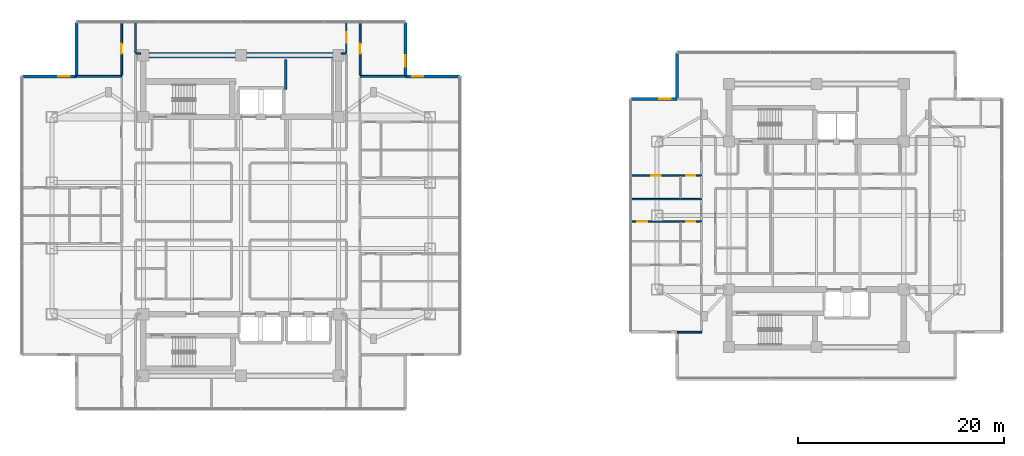
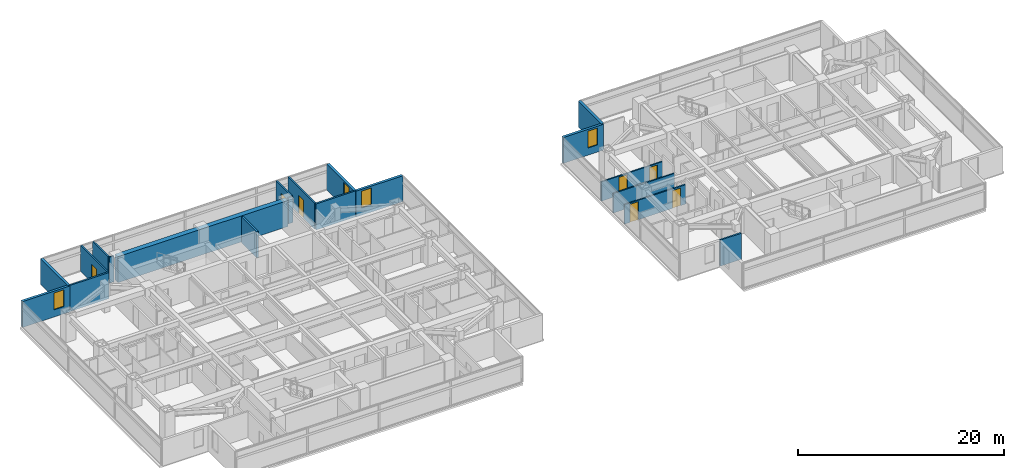
# One storey, part 15 of 24: 20 walls, 7 doors, 4 windows, 11 openings.
"""IFC4 building model written with IfcOpenShell, lengths in metres."""

import ifcopenshell
import ifcopenshell.guid

model = None  # the IFC model being written
_history = None  # IfcOwnerHistory: only IFC2X3 demands one
_inside = {}  # id of a spatial element -> (the spatial element, [elements in it])
_under = {}  # id of a project, library or spatial element -> (it, [spatial elements below it])
_declared = {}  # id of a project -> (the project, [libraries it declares])
_typed = {}  # id of a type object -> (the type object, [elements of that type])
_made_of = {}  # id of a material, layer set ... -> (it, [elements and type objects made of it])


def new_model(schema):
    """Start an empty IFC model of exactly this schema.

    Asked for "IFC4X3", IfcOpenShell would pick the latest addendum, in which some entities
    have other attributes; the version numbers below select the first issue.
    IFC2X3 requires an IfcOwnerHistory on every rooted entity: one is made here for all.
    """
    global model, _history
    if schema == "IFC4X3":
        model = ifcopenshell.file(schema_version=(4, 3, 0, 0))
    else:
        model = ifcopenshell.file(schema=schema)
    _inside.clear()
    _under.clear()
    _declared.clear()
    _typed.clear()
    _made_of.clear()
    _history = None
    if model.schema == "IFC2X3":
        org = make("IfcOrganization", Name="unknown")
        user = make(
            "IfcPersonAndOrganization",
            ThePerson=make("IfcPerson", FamilyName="unknown"),
            TheOrganization=org,
        )
        app = make(
            "IfcApplication",
            ApplicationDeveloper=org,
            Version="unknown",
            ApplicationFullName="unknown",
            ApplicationIdentifier="unknown",
        )
        _history = make(
            "IfcOwnerHistory",
            OwningUser=user,
            OwningApplication=app,
            ChangeAction="ADDED",
            CreationDate=0,
        )
    return model


def make(cls, **values):
    """One entity of the class cls with the attributes given. An attribute that is None is left unset."""
    return model.create_entity(
        cls, **{name: value for name, value in values.items() if value is not None}
    )


def rooted(cls, **values):
    """An entity with a GlobalId (a new one), such as an element, a storey or a relation."""
    return make(cls, GlobalId=ifcopenshell.guid.new(), OwnerHistory=_history, **values)


def si_unit(unit_type, name, prefix=None):
    """IfcSIUnit, for example si_unit("LENGTHUNIT", "METRE", prefix="MILLI")."""
    return make("IfcSIUnit", UnitType=unit_type, Prefix=prefix, Name=name)


def assignment(units):
    """IfcUnitAssignment: the units of a project."""
    return None if units is None else make("IfcUnitAssignment", Units=units)


def point(xyz):
    """IfcCartesianPoint."""
    return None if xyz is None else make("IfcCartesianPoint", Coordinates=xyz)


def direction(xyz):
    """IfcDirection."""
    return None if xyz is None else make("IfcDirection", DirectionRatios=xyz)


def frame(location, z_axis=None, x_axis=None):
    """IfcAxis2Placement3D, a coordinate frame: its origin and axes. An axis left out is left unset."""
    return make(
        "IfcAxis2Placement3D",
        Location=point(location),
        Axis=direction(z_axis),
        RefDirection=direction(x_axis),
    )


def frame_2d(location, x_axis=None):
    """IfcAxis2Placement2D, a coordinate frame in the plane: its origin and x axis."""
    return make(
        "IfcAxis2Placement2D", Location=point(location), RefDirection=direction(x_axis)
    )


def origin():
    """The frame at (0, 0, 0) with its axes left unset."""
    return frame((0.0, 0.0, 0.0))


def place(relative_to, where):
    """IfcLocalPlacement: puts the frame where relative to a parent placement (None: the world)."""
    return make(
        "IfcLocalPlacement", PlacementRelTo=relative_to, RelativePlacement=where
    )


def context(
    kind, dimensions, precision=None, world=None, true_north=None, identifier=None
):
    """IfcGeometricRepresentationContext, for example the 3D "Model" context."""
    return make(
        "IfcGeometricRepresentationContext",
        ContextIdentifier=identifier,
        ContextType=kind,
        CoordinateSpaceDimension=dimensions,
        Precision=precision,
        WorldCoordinateSystem=world,
        TrueNorth=true_north,
    )


def subcontext(parent, identifier, kind, view, scale=None):
    """IfcGeometricRepresentationSubContext, for example "Body" below "Model"."""
    return make(
        "IfcGeometricRepresentationSubContext",
        ContextIdentifier=identifier,
        ContextType=kind,
        ParentContext=parent,
        TargetScale=scale,
        TargetView=view,
    )


def project(units=None, contexts=None):
    """IfcProject with its units and contexts."""
    return rooted(
        "IfcProject",
        Name="project",
        RepresentationContexts=contexts,
        UnitsInContext=assignment(units),
    )


def spatial(cls, under=None, at=None, **own):
    """A site, building, storey or space (cls), placed at a placement, below another one or the project."""
    s = rooted(cls, ObjectPlacement=at, **own)
    if under is not None:
        _under.setdefault(under.id(), (under, []))[1].append(s)
    return s


def profile(cls, at=None, kind="AREA", **sizes):
    """A parametric profile (cls). Its sizes go by their IFC names, for example OverallWidth=200.0."""
    return make(cls, ProfileType=kind, Position=at, **sizes)


def rectangle(**sizes):
    """IfcRectangleProfileDef."""
    return profile("IfcRectangleProfileDef", **sizes)


def extrude(swept, where, along, depth):
    """IfcExtrudedAreaSolid: the profile swept, set in the frame where, extruded along a direction by depth."""
    return make(
        "IfcExtrudedAreaSolid",
        SweptArea=swept,
        Position=where,
        ExtrudedDirection=direction(along),
        Depth=depth,
    )


def shape(context_of_items, identifier, shape_type, items):
    """IfcShapeRepresentation: the items that make up one representation, for example the "Body"."""
    return make(
        "IfcShapeRepresentation",
        ContextOfItems=context_of_items,
        RepresentationIdentifier=identifier,
        RepresentationType=shape_type,
        Items=items,
    )


def material(Name=None, Category=None):
    """IfcMaterial."""
    return make("IfcMaterial", Name=Name, Category=Category)


def layer(
    of_material, thickness, ventilated=None, Name=None, Category=None, Priority=None
):
    """IfcMaterialLayer: one layer of a wall or slab, of a material (None: an air gap)."""
    return make(
        "IfcMaterialLayer",
        Material=of_material,
        LayerThickness=thickness,
        IsVentilated=ventilated,
        Name=Name,
        Category=Category,
        Priority=Priority,
    )


def layer_set(layers, Name=None):
    """IfcMaterialLayerSet."""
    return make("IfcMaterialLayerSet", MaterialLayers=layers, LayerSetName=Name)


def made_of(thing, what):
    """Note that an element or type object is made of a material, layer set ...; save() writes the relation."""
    if what is not None:
        _made_of.setdefault(what.id(), (what, []))[1].append(thing)
    return thing


def type_object(cls, material=None, **own):
    """A type object (cls), such as IfcWallType, which elements share."""
    return made_of(rooted(cls, **own), material)


def element(
    cls,
    number,
    at=None,
    inside=None,
    cuts=None,
    type_object=None,
    material=None,
    context=None,
    identifier="Body",
    shape_type=None,
    held_by="IfcProductDefinitionShape",
    body=None,
    shapes=None,
    **own,
):
    """One element of the class cls, such as IfcWall. Its Tag is "e" and its number.

    at: its placement. inside: the storey or other place that contains it. cuts: it is an
    opening in that element (IfcRelVoidsElement). A single representation is given by context,
    identifier, shape_type and body (its items); several are given by shapes. held_by: the class
    of the entity that holds the representations. save() writes the other relations.
    """
    e = rooted(cls, Tag="e%d" % number, ObjectPlacement=at, **own)
    if body is not None:
        shapes = [shape(context, identifier, shape_type, body)]
    if shapes is not None:
        e.Representation = make(held_by, Representations=shapes)
    if inside is not None:
        _inside.setdefault(inside.id(), (inside, []))[1].append(e)
    if cuts is not None:
        rooted(
            "IfcRelVoidsElement", RelatingBuildingElement=cuts, RelatedOpeningElement=e
        )
    if type_object is not None:
        _typed.setdefault(type_object.id(), (type_object, []))[1].append(e)
    return made_of(e, material)


def fill(opening, filler):
    """IfcRelFillsElement: the door or window that sits in an opening."""
    return rooted(
        "IfcRelFillsElement",
        RelatingOpeningElement=opening,
        RelatedBuildingElement=filler,
    )


def aggregate(whole, parts):
    """IfcRelAggregates: a whole, such as a stair, and the parts it consists of."""
    return rooted("IfcRelAggregates", RelatingObject=whole, RelatedObjects=parts)


def save(model, path):
    """Write the relations noted so far, then the file.

    IfcRelAggregates (storeys below a building ...), IfcRelContainedInSpatialStructure (elements
    in a storey), IfcRelDefinesByType, IfcRelAssociatesMaterial and IfcRelDeclares: one each for
    every whole, place, type object, material and project.
    """
    for whole, parts in _under.values():
        aggregate(whole, parts)
    for where, things in _inside.values():
        rooted(
            "IfcRelContainedInSpatialStructure",
            RelatedElements=things,
            RelatingStructure=where,
        )
    for kind, things in _typed.values():
        rooted("IfcRelDefinesByType", RelatedObjects=things, RelatingType=kind)
    for what, things in _made_of.values():
        rooted("IfcRelAssociatesMaterial", RelatedObjects=things, RelatingMaterial=what)
    for by, libraries in _declared.values():
        rooted("IfcRelDeclares", RelatingContext=by, RelatedDefinitions=libraries)
    model.write(path)


model = new_model("IFC4")

# Units and contexts
model_context = context("Model", 3, precision=1e-05, world=origin(), true_north=direction((0.0, 1.0)))
body_context = subcontext(model_context, "Body", "Model", "MODEL_VIEW")
ifc_project = project(units=[si_unit("LENGTHUNIT", "METRE"), si_unit("AREAUNIT", "SQUARE_METRE"), si_unit("VOLUMEUNIT", "CUBIC_METRE"), si_unit("PLANEANGLEUNIT", "RADIAN"), si_unit("MASSUNIT", "GRAM", prefix="KILO")], contexts=[model_context])

# Site, building, storey
site_placement = place(None, origin())
site = spatial("IfcSite", under=ifc_project, at=site_placement, CompositionType="ELEMENT")
building_placement = place(site_placement, origin())
building = spatial("IfcBuilding", under=site, at=building_placement, Name="Mirazonda Arch Towers", CompositionType="ELEMENT")
storey_placement = place(building_placement, frame((0.0, 0.0, 134.60009765625)))
storey = spatial("IfcBuildingStorey", under=building, at=storey_placement, Name="L38", CompositionType="ELEMENT", Elevation=134.60009765625)

# Wall
ifc_material_1 = material(Name="Concrete C50/60", Category="concrete")
ifc_layer_1 = layer(ifc_material_1, 0.550048828125, Name="WALL-CORE-550")
ifc_layer_set_1 = layer_set([ifc_layer_1], Name="Concrete C50/60")
wall_type_1 = type_object("IfcWallType", Name="WALL-CORE-550", PredefinedType="SHEAR", material=ifc_layer_set_1)
wall_1_placement = place(storey_placement, frame((11.0, 43.60009765625, 0.0), z_axis=(0.0, 0.0, 1.0), x_axis=(1.0, 0.0, 0.0)))
element("IfcWall", 1, at=wall_1_placement, inside=storey, type_object=wall_type_1, Name="L38 T1N-N Core Shear Wall", PredefinedType="SHEAR", context=body_context, shape_type="SweptSolid", body=[
    extrude(rectangle(XDim=19.0, YDim=0.550048828125, at=frame_2d((9.5, 0.0))), origin(), (0.0, 0.0, 1.0), 3.079833984375),
])

# Wall, opening, window
ifc_material_2 = material(Name="Precast Concrete C40/50", Category="concrete")
ifc_layer_2 = layer(ifc_material_2, 0.280029296875, Name="WALL-EXT-WALL-280")
ifc_layer_set_2 = layer_set([ifc_layer_2], Name="Precast Concrete C40/50")
wall_type_2 = type_object("IfcWallType", Name="WALL-EXT-WALL-280", PredefinedType="SOLIDWALL", material=ifc_layer_set_2)
wall_2_placement = place(storey_placement, frame((36.510009765625, 41.5400390625, 0.0), z_axis=(0.0, 0.0, 1.0), x_axis=(0.0, 1.0, 0.0)))
wall_2 = element("IfcWall", 2, at=wall_2_placement, inside=storey, type_object=wall_type_2, Name="L38 T1 Notched NE Corner Wall WL-L38-T1-CNE", PredefinedType="SOLIDWALL", context=body_context, shape_type="SweptSolid", body=[
    extrude(rectangle(XDim=5.27001953125, YDim=0.280029296875, at=frame_2d((2.635009765625, 0.0))), origin(), (0.0, 0.0, 1.0), 3.059814453125),
])
opening_1_placement = place(wall_2_placement, frame((0.949951171875, 0.0, 0.85009765625)))
opening_1 = element("IfcOpeningElement", 3, at=opening_1_placement, cuts=wall_2, Name="Opening WN-108", PredefinedType="OPENING", context=body_context, shape_type="SweptSolid", body=[
    extrude(rectangle(XDim=1.10009765625, YDim=2.0, at=frame_2d((0.550048828125, 1.0))), frame((0.0, 0.14990234375, 0.0), z_axis=(0.0, -1.0, 0.0), x_axis=(1.0, 0.0, 0.0)), (0.0, 0.0, 1.0), 0.300048828125),
])
ifc_material_3 = material(Name="Insulated Low-E Solar Glass", Category="glass")
window_type = type_object("IfcWindowType", Name="WIN-NOTCH-1100x2000", PartitioningType="SINGLE_PANEL", PredefinedType="WINDOW", material=ifc_material_3)
window_1_placement = place(opening_1_placement, origin())
window_1 = element("IfcWindow", 4, at=window_1_placement, inside=storey, type_object=window_type, Name="L38 Punched Facade Window WN-L38-T1-CNE", OverallHeight=2.0, OverallWidth=1.10009765625, PartitioningType="SINGLE_PANEL", PredefinedType="WINDOW", context=body_context, shape_type="SweptSolid", body=[
    extrude(rectangle(XDim=1.10009765625, YDim=2.0, at=frame_2d((0.550048828125, 1.0))), frame((0.0, 0.030029296875, 0.0), z_axis=(0.0, -1.0, 0.0), x_axis=(1.0, 0.0, 0.0)), (0.0, 0.0, 1.0), 0.06005859375),
])
fill(opening_1, window_1)

wall_3_placement = place(storey_placement, frame((4.489990234375, 41.5400390625, 0.0), z_axis=(0.0, 0.0, 1.0), x_axis=(-1.0, 0.0, 0.0)))
wall_3 = element("IfcWall", 5, at=wall_3_placement, inside=storey, type_object=wall_type_2, Name="L38 T1 Corner Notch Return Wall WL-L38-T1-CNW1", PredefinedType="SOLIDWALL", context=body_context, shape_type="SweptSolid", body=[
    extrude(rectangle(XDim=5.27001953125, YDim=0.280029296875, at=frame_2d((2.635009765625, 0.0))), origin(), (0.0, 0.0, 1.0), 3.059814453125),
])
opening_2_placement = place(wall_3_placement, frame((0.64990234375, 0.0, 0.85009765625)))
opening_2 = element("IfcOpeningElement", 6, at=opening_2_placement, cuts=wall_3, Name="Opening WN-108", PredefinedType="OPENING", context=body_context, shape_type="SweptSolid", body=[
    extrude(rectangle(XDim=1.10009765625, YDim=2.0, at=frame_2d((0.550048828125, 1.0))), frame((0.0, 0.14990234375, 0.0), z_axis=(0.0, -1.0, 0.0), x_axis=(1.0, 0.0, 0.0)), (0.0, 0.0, 1.0), 0.300048828125),
])
window_2_placement = place(opening_2_placement, origin())
window_2 = element("IfcWindow", 7, at=window_2_placement, inside=storey, type_object=window_type, Name="L38 Punched Facade Window WN-L38-T1-CNW1", OverallHeight=2.0, OverallWidth=1.10009765625, PartitioningType="SINGLE_PANEL", PredefinedType="WINDOW", context=body_context, shape_type="SweptSolid", body=[
    extrude(rectangle(XDim=1.10009765625, YDim=2.0, at=frame_2d((0.550048828125, 1.0))), frame((0.0, 0.030029296875, 0.0), z_axis=(0.0, -1.0, 0.0), x_axis=(1.0, 0.0, 0.0)), (0.0, 0.0, 1.0), 0.06005859375),
])
fill(opening_2, window_2)

# Wall
wall_4_placement = place(storey_placement, frame((4.489990234375, 46.81005859375, 0.0), z_axis=(0.0, 0.0, 1.0), x_axis=(0.0, -1.0, 0.0)))
element("IfcWall", 8, at=wall_4_placement, inside=storey, type_object=wall_type_2, Name="L38 T1 Corner Notch Return Wall WL-L38-T1-CNW2", PredefinedType="SOLIDWALL", context=body_context, shape_type="SweptSolid", body=[
    extrude(rectangle(XDim=5.27001953125, YDim=0.280029296875, at=frame_2d((2.635009765625, 0.0))), origin(), (0.0, 0.0, 1.0), 3.059814453125),
])

# Wall, opening, window
wall_5_placement = place(storey_placement, frame((41.780029296875, 41.5400390625, 0.0), z_axis=(0.0, 0.0, 1.0), x_axis=(-1.0, 0.0, 0.0)))
wall_5 = element("IfcWall", 9, at=wall_5_placement, inside=storey, type_object=wall_type_2, Name="L38 T1 Corner Notch Return Wall WL-L38-T1-CNE2", PredefinedType="SOLIDWALL", context=body_context, shape_type="SweptSolid", body=[
    extrude(rectangle(XDim=5.27001953125, YDim=0.280029296875, at=frame_2d((2.635009765625, 0.0))), origin(), (0.0, 0.0, 1.0), 3.059814453125),
])
opening_3_placement = place(wall_5_placement, frame((3.52001953125, 0.0, 0.85009765625)))
opening_3 = element("IfcOpeningElement", 10, at=opening_3_placement, cuts=wall_5, Name="Opening WN-108", PredefinedType="OPENING", context=body_context, shape_type="SweptSolid", body=[
    extrude(rectangle(XDim=1.10009765625, YDim=2.0, at=frame_2d((0.550048828125, 1.0))), frame((0.0, 0.14990234375, 0.0), z_axis=(0.0, -1.0, 0.0), x_axis=(1.0, 0.0, 0.0)), (0.0, 0.0, 1.0), 0.300048828125),
])
window_3_placement = place(opening_3_placement, origin())
window_3 = element("IfcWindow", 11, at=window_3_placement, inside=storey, type_object=window_type, Name="L38 Punched Facade Window WN-L38-T1-CNE2", OverallHeight=2.0, OverallWidth=1.10009765625, PartitioningType="SINGLE_PANEL", PredefinedType="WINDOW", context=body_context, shape_type="SweptSolid", body=[
    extrude(rectangle(XDim=1.10009765625, YDim=2.0, at=frame_2d((0.550048828125, 1.0))), frame((0.0, 0.030029296875, 0.0), z_axis=(0.0, -1.0, 0.0), x_axis=(1.0, 0.0, 0.0)), (0.0, 0.0, 1.0), 0.06005859375),
])
fill(opening_3, window_3)

wall_6_placement = place(storey_placement, frame((62.951416015625, 39.34912109375, 0.0), z_axis=(0.0, 0.0, 1.0), x_axis=(-1.0, 0.0, 0.0)))
wall_6 = element("IfcWall", 12, at=wall_6_placement, inside=storey, type_object=wall_type_2, Name="L38 T2 Corner Notch Return Wall WL-L38-T2-CNW1", PredefinedType="SOLIDWALL", context=body_context, shape_type="SweptSolid", body=[
    extrude(rectangle(XDim=4.486328125, YDim=0.280029296875, at=frame_2d((2.2431640625, 0.0))), origin(), (0.0, 0.0, 1.0), 3.059814453125),
])
opening_4_placement = place(wall_6_placement, frame((0.64990234375, 0.0, 0.85009765625)))
opening_4 = element("IfcOpeningElement", 13, at=opening_4_placement, cuts=wall_6, Name="Opening WN-108", PredefinedType="OPENING", context=body_context, shape_type="SweptSolid", body=[
    extrude(rectangle(XDim=1.10009765625, YDim=2.0, at=frame_2d((0.550048828125, 1.0))), frame((0.0, 0.14990234375, 0.0), z_axis=(0.0, -1.0, 0.0), x_axis=(1.0, 0.0, 0.0)), (0.0, 0.0, 1.0), 0.300048828125),
])
window_4_placement = place(opening_4_placement, origin())
window_4 = element("IfcWindow", 14, at=window_4_placement, inside=storey, type_object=window_type, Name="L38 Punched Facade Window WN-L38-T2-CNW1", OverallHeight=2.0, OverallWidth=1.10009765625, PartitioningType="SINGLE_PANEL", PredefinedType="WINDOW", context=body_context, shape_type="SweptSolid", body=[
    extrude(rectangle(XDim=1.10009765625, YDim=2.0, at=frame_2d((0.550048828125, 1.0))), frame((0.0, 0.030029296875, 0.0), z_axis=(0.0, -1.0, 0.0), x_axis=(1.0, 0.0, 0.0)), (0.0, 0.0, 1.0), 0.06005859375),
])
fill(opening_4, window_4)

# Walls
wall_7_placement = place(storey_placement, frame((62.951416015625, 43.83544921875, 0.0), z_axis=(0.0, 0.0, 1.0), x_axis=(0.0, -1.0, 0.0)))
element("IfcWall", 15, at=wall_7_placement, inside=storey, type_object=wall_type_2, Name="L38 T2 Corner Notch Return Wall WL-L38-T2-CNW2", PredefinedType="SOLIDWALL", context=body_context, shape_type="SweptSolid", body=[
    extrude(rectangle(XDim=4.486328125, YDim=0.280029296875, at=frame_2d((2.2431640625, 0.0))), origin(), (0.0, 0.0, 1.0), 3.059814453125),
])
ifc_material_4 = material(Name="Concrete C40/50", Category="concrete")
ifc_layer_3 = layer(ifc_material_4, 0.219970703125, Name="WALL-FFL-220")
ifc_layer_set_3 = layer_set([ifc_layer_3], Name="Concrete C40/50")
wall_type_3 = type_object("IfcWallType", Name="WALL-FFL-220", PredefinedType="SOLIDWALL", material=ifc_layer_set_3)
wall_8_placement = place(storey_placement, frame((24.85009765625, 40.260009765625, 0.0), z_axis=(0.0, 0.0, 1.0), x_axis=(0.0, 1.0, 0.0)))
element("IfcWall", 16, at=wall_8_placement, inside=storey, type_object=wall_type_3, Name="L38 Interior Partition 097", PredefinedType="SOLIDWALL", context=body_context, shape_type="SweptSolid", body=[
    extrude(rectangle(XDim=2.93994140625, YDim=0.219970703125, at=frame_2d((1.469970703125, 0.0))), origin(), (0.0, 0.0, 1.0), 3.079833984375),
])

# Wall, openings, doors
ifc_material_5 = material(Name="Fire-Rated Gypsum Stud Partition")
ifc_layer_4 = layer(ifc_material_5, 0.14990234375, Name="WALL-PART-CORR-150")
ifc_layer_set_4 = layer_set([ifc_layer_4], Name="Fire-Rated Gypsum Stud Partition")
wall_type_4 = type_object("IfcWallType", Name="WALL-PART-CORR-150", PredefinedType="PARTITIONING", material=ifc_layer_set_4)
wall_9_placement = place(storey_placement, frame((58.465087890625, 27.412109375, 0.0), z_axis=(0.0, 0.0, 1.0), x_axis=(1.0, 0.0, 0.0)))
wall_9 = element("IfcWall", 17, at=wall_9_placement, inside=storey, type_object=wall_type_4, Name="L38 Interior Partition 034", PredefinedType="PARTITIONING", context=body_context, shape_type="SweptSolid", body=[
    extrude(rectangle(XDim=6.85498046875, YDim=0.14990234375, at=frame_2d((3.427490234375, 0.0))), origin(), (0.0, 0.0, 1.0), 2.298828125),
])
opening_5_placement = place(wall_9_placement, frame((0.6025390625, 0.0, 0.0)))
opening_5 = element("IfcOpeningElement", 18, at=opening_5_placement, cuts=wall_9, Name="Opening DR-104", PredefinedType="OPENING", context=body_context, shape_type="SweptSolid", body=[
    extrude(rectangle(XDim=0.949951171875, YDim=2.14990234375, at=frame_2d((0.47509765625, 1.074951171875))), frame((0.0, 0.0849609375, 0.0), z_axis=(0.0, -1.0, 0.0), x_axis=(1.0, 0.0, 0.0)), (0.0, 0.0, 1.0), 0.169921875),
])
opening_6_placement = place(wall_9_placement, frame((5.364990234375, 0.0, 0.0)))
opening_6 = element("IfcOpeningElement", 19, at=opening_6_placement, cuts=wall_9, Name="Opening DR-120", PredefinedType="OPENING", context=body_context, shape_type="SweptSolid", body=[
    extrude(rectangle(XDim=0.89990234375, YDim=2.10009765625, at=frame_2d((0.449951171875, 1.050048828125))), frame((0.0, 0.0849609375, 0.0), z_axis=(0.0, -1.0, 0.0), x_axis=(1.0, 0.0, 0.0)), (0.0, 0.0, 1.0), 0.169921875),
])
ifc_material_6 = material(Name="Architectural Brushed Steel S355", Category="steel")
door_type_1 = type_object("IfcDoorType", Name="DOOR-ROOM-950", OperationType="NOTDEFINED", PredefinedType="DOOR", material=ifc_material_6)
door_1_placement = place(opening_5_placement, origin())
door_1 = element("IfcDoor", 20, at=door_1_placement, inside=storey, type_object=door_type_1, Name="L38 Guestroom Study 2 Door", OperationType="SINGLE_SWING_RIGHT", OverallHeight=2.14990234375, OverallWidth=0.949951171875, PredefinedType="DOOR", context=body_context, shape_type="SweptSolid", body=[
    extrude(rectangle(XDim=0.949951171875, YDim=2.14990234375, at=frame_2d((0.47509765625, 1.074951171875))), frame((0.0, 0.02490234375, 0.0), z_axis=(0.0, -1.0, 0.0), x_axis=(1.0, 0.0, 0.0)), (0.0, 0.0, 1.0), 0.050048828125),
])
fill(opening_5, door_1)
door_type_2 = type_object("IfcDoorType", Name="DOOR-WC-900", OperationType="NOTDEFINED", PredefinedType="DOOR", material=ifc_material_6)
door_2_placement = place(opening_6_placement, origin())
door_2 = element("IfcDoor", 21, at=door_2_placement, inside=storey, type_object=door_type_2, Name="L38 En-Suite Bathroom 2 Door", OperationType="SINGLE_SWING_LEFT", OverallHeight=2.10009765625, OverallWidth=0.89990234375, PredefinedType="DOOR", context=body_context, shape_type="SweptSolid", body=[
    extrude(rectangle(XDim=0.89990234375, YDim=2.10009765625, at=frame_2d((0.449951171875, 1.050048828125))), frame((0.0, 0.02490234375, 0.0), z_axis=(0.0, -1.0, 0.0), x_axis=(1.0, 0.0, 0.0)), (0.0, 0.0, 1.0), 0.050048828125),
])
fill(opening_6, door_2)

# Wall
wall_10_placement = place(storey_placement, frame((58.465087890625, 29.595947265625, 0.0), z_axis=(0.0, 0.0, 1.0), x_axis=(1.0, 0.0, 0.0)))
element("IfcWall", 22, at=wall_10_placement, inside=storey, type_object=wall_type_4, Name="L38 Interior Partition 037", PredefinedType="PARTITIONING", context=body_context, shape_type="SweptSolid", body=[
    extrude(rectangle(XDim=6.85498046875, YDim=0.14990234375, at=frame_2d((3.427490234375, 0.0))), origin(), (0.0, 0.0, 1.0), 2.298828125),
])

# Wall, openings, doors
wall_11_placement = place(storey_placement, frame((58.465087890625, 31.89599609375, 0.0), z_axis=(0.0, 0.0, 1.0), x_axis=(1.0, 0.0, 0.0)))
wall_11 = element("IfcWall", 23, at=wall_11_placement, inside=storey, type_object=wall_type_4, Name="L38 Interior Partition 041", PredefinedType="PARTITIONING", context=body_context, shape_type="SweptSolid", body=[
    extrude(rectangle(XDim=6.85498046875, YDim=0.14990234375, at=frame_2d((3.427490234375, 0.0))), origin(), (0.0, 0.0, 1.0), 2.298828125),
])
opening_7_placement = place(wall_11_placement, frame((1.952392578125, 0.0, 0.0)))
opening_7 = element("IfcOpeningElement", 24, at=opening_7_placement, cuts=wall_11, Name="Opening DR-104", PredefinedType="OPENING", context=body_context, shape_type="SweptSolid", body=[
    extrude(rectangle(XDim=0.949951171875, YDim=2.14990234375, at=frame_2d((0.47509765625, 1.074951171875))), frame((0.0, 0.0849609375, 0.0), z_axis=(0.0, -1.0, 0.0), x_axis=(1.0, 0.0, 0.0)), (0.0, 0.0, 1.0), 0.169921875),
])
opening_8_placement = place(wall_11_placement, frame((5.364990234375, 0.0, 0.0)))
opening_8 = element("IfcOpeningElement", 25, at=opening_8_placement, cuts=wall_11, Name="Opening DR-120", PredefinedType="OPENING", context=body_context, shape_type="SweptSolid", body=[
    extrude(rectangle(XDim=0.89990234375, YDim=2.10009765625, at=frame_2d((0.449951171875, 1.050048828125))), frame((0.0, 0.0849609375, 0.0), z_axis=(0.0, -1.0, 0.0), x_axis=(1.0, 0.0, 0.0)), (0.0, 0.0, 1.0), 0.169921875),
])
door_3_placement = place(opening_7_placement, origin())
door_3 = element("IfcDoor", 26, at=door_3_placement, inside=storey, type_object=door_type_1, Name="L38 Guestroom Study 3 Door", OperationType="SINGLE_SWING_LEFT", OverallHeight=2.14990234375, OverallWidth=0.949951171875, PredefinedType="DOOR", context=body_context, shape_type="SweptSolid", body=[
    extrude(rectangle(XDim=0.949951171875, YDim=2.14990234375, at=frame_2d((0.47509765625, 1.074951171875))), frame((0.0, 0.02490234375, 0.0), z_axis=(0.0, -1.0, 0.0), x_axis=(1.0, 0.0, 0.0)), (0.0, 0.0, 1.0), 0.050048828125),
])
fill(opening_7, door_3)
door_4_placement = place(opening_8_placement, origin())
door_4 = element("IfcDoor", 27, at=door_4_placement, inside=storey, type_object=door_type_2, Name="L38 En-Suite Bathroom 3 Door", OperationType="SINGLE_SWING_RIGHT", OverallHeight=2.10009765625, OverallWidth=0.89990234375, PredefinedType="DOOR", context=body_context, shape_type="SweptSolid", body=[
    extrude(rectangle(XDim=0.89990234375, YDim=2.10009765625, at=frame_2d((0.449951171875, 1.050048828125))), frame((0.0, 0.02490234375, 0.0), z_axis=(0.0, -1.0, 0.0), x_axis=(1.0, 0.0, 0.0)), (0.0, 0.0, 1.0), 0.050048828125),
])
fill(opening_8, door_4)

# Walls
for number, where, z_axis, x_axis, name in (
    (28, (10.239990234375, 43.75, 0.0), (0.0, 0.0, 1.0), (1.0, 0.0, 0.0), "L38 Interior Partition 060"),
    (29, (30.27001953125, 43.75, 0.0), (0.0, 0.0, 1.0), (1.0, 0.0, 0.0), "L38 Interior Partition 061"),
):
    element("IfcWall", number, at=place(storey_placement, frame(where, z_axis=z_axis, x_axis=x_axis)), inside=storey, type_object=wall_type_4, Name=name, PredefinedType="PARTITIONING", context=body_context, shape_type="SweptSolid", body=[
        extrude(rectangle(XDim=0.489990234375, YDim=0.14990234375, at=frame_2d((0.2451171875, 0.0))), origin(), (0.0, 0.0, 1.0), 3.079833984375),
    ])
wall_12_placement = place(storey_placement, frame((10.239990234375, 43.8349609375, 0.0), z_axis=(0.0, 0.0, 1.0), x_axis=(0.0, 1.0, 0.0)))
element("IfcWall", 30, at=wall_12_placement, inside=storey, type_object=wall_type_4, Name="L38 Interior Partition 078", PredefinedType="PARTITIONING", context=body_context, shape_type="SweptSolid", body=[
    extrude(rectangle(XDim=2.97509765625, YDim=0.14990234375, at=frame_2d((1.487548828125, 0.0))), origin(), (0.0, 0.0, 1.0), 3.079833984375),
])

# Wall, opening, door
wall_13_placement = place(storey_placement, frame((30.760009765625, 43.8349609375, 0.0), z_axis=(0.0, 0.0, 1.0), x_axis=(0.0, 1.0, 0.0)))
wall_13 = element("IfcWall", 31, at=wall_13_placement, inside=storey, type_object=wall_type_4, Name="L38 Interior Partition 106", PredefinedType="PARTITIONING", context=body_context, shape_type="SweptSolid", body=[
    extrude(rectangle(XDim=2.97509765625, YDim=0.14990234375, at=frame_2d((1.487548828125, 0.0))), origin(), (0.0, 0.0, 1.0), 3.079833984375),
])
opening_9_placement = place(wall_13_placement, frame((0.96240234375, 0.0, 0.0)))
opening_9 = element("IfcOpeningElement", 32, at=opening_9_placement, cuts=wall_13, Name="Opening DR-121", PredefinedType="OPENING", context=body_context, shape_type="SweptSolid", body=[
    extrude(rectangle(XDim=1.050048828125, YDim=2.199951171875, at=frame_2d((0.52490234375, 1.10009765625))), frame((0.0, 0.0849609375, 0.0), z_axis=(0.0, -1.0, 0.0), x_axis=(1.0, 0.0, 0.0)), (0.0, 0.0, 1.0), 0.169921875),
])
door_type_3 = type_object("IfcDoorType", Name="DOOR-SUITE-FD60-1050", OperationType="NOTDEFINED", PredefinedType="DOOR", material=ifc_material_6)
door_5_placement = place(opening_9_placement, origin())
door_5 = element("IfcDoor", 33, at=door_5_placement, inside=storey, type_object=door_type_3, Name="L38 North Bay Sunroom Suite Door", OperationType="SINGLE_SWING_LEFT", OverallHeight=2.199951171875, OverallWidth=1.050048828125, PredefinedType="DOOR", context=body_context, shape_type="SweptSolid", body=[
    extrude(rectangle(XDim=1.050048828125, YDim=2.199951171875, at=frame_2d((0.52490234375, 1.10009765625))), frame((0.0, 0.02490234375, 0.0), z_axis=(0.0, -1.0, 0.0), x_axis=(1.0, 0.0, 0.0)), (0.0, 0.0, 1.0), 0.050048828125),
])
fill(opening_9, door_5)

# Walls
ifc_material_7 = material(Name="Fire-Rated Gypsum Twin-Stud Assembly")
ifc_layer_5 = layer(ifc_material_7, 0.179931640625, Name="WALL-PART-DEMISE-180")
ifc_layer_set_5 = layer_set([ifc_layer_5], Name="Fire-Rated Gypsum Twin-Stud Assembly")
wall_type_5 = type_object("IfcWallType", Name="WALL-PART-DEMISE-180", PredefinedType="PARTITIONING", material=ifc_layer_set_5)
wall_14_placement = place(storey_placement, frame((62.971435546875, 16.65087890625, 0.0), z_axis=(0.0, 0.0, 1.0), x_axis=(1.0, 0.0, 0.0)))
element("IfcWall", 34, at=wall_14_placement, inside=storey, type_object=wall_type_5, Name="L38 Interior Partition 009", PredefinedType="PARTITIONING", context=body_context, shape_type="SweptSolid", body=[
    extrude(rectangle(XDim=2.3486328125, YDim=0.179931640625, at=frame_2d((1.17431640625, 0.0))), origin(), (0.0, 0.0, 1.0), 3.079833984375),
])
for number, where, z_axis, x_axis, name in (
    (35, (4.510009765625, 41.5400390625, 0.0), (0.0, 0.0, 1.0), (1.0, 0.0, 0.0), "L38 Interior Partition 058"),
    (36, (32.10009765625, 41.5400390625, 0.0), (0.0, 0.0, 1.0), (1.0, 0.0, 0.0), "L38 Interior Partition 059"),
):
    element("IfcWall", number, at=place(storey_placement, frame(where, z_axis=z_axis, x_axis=x_axis)), inside=storey, type_object=wall_type_5, Name=name, PredefinedType="PARTITIONING", context=body_context, shape_type="SweptSolid", body=[
        extrude(rectangle(XDim=4.389892578125, YDim=0.179931640625, at=frame_2d((2.19482421875, 0.0))), origin(), (0.0, 0.0, 1.0), 3.079833984375),
    ])

# Wall, opening, door
wall_15_placement = place(storey_placement, frame((8.89990234375, 41.639892578125, 0.0), z_axis=(0.0, 0.0, 1.0), x_axis=(0.0, 1.0, 0.0)))
wall_15 = element("IfcWall", 37, at=wall_15_placement, inside=storey, type_object=wall_type_5, Name="L38 Interior Partition 071", PredefinedType="PARTITIONING", context=body_context, shape_type="SweptSolid", body=[
    extrude(rectangle(XDim=5.170166015625, YDim=0.179931640625, at=frame_2d((2.5849609375, 0.0))), origin(), (0.0, 0.0, 1.0), 3.079833984375),
])
opening_10_placement = place(wall_15_placement, frame((2.110107421875, 0.0, 0.0)))
opening_10 = element("IfcOpeningElement", 38, at=opening_10_placement, cuts=wall_15, Name="Opening DR-104", PredefinedType="OPENING", context=body_context, shape_type="SweptSolid", body=[
    extrude(rectangle(XDim=0.949951171875, YDim=2.14990234375, at=frame_2d((0.47509765625, 1.074951171875))), frame((0.0, 0.099853515625, 0.0), z_axis=(0.0, -1.0, 0.0), x_axis=(1.0, 0.0, 0.0)), (0.0, 0.0, 1.0), 0.199951171875),
])
door_6_placement = place(opening_10_placement, origin())
door_6 = element("IfcDoor", 39, at=door_6_placement, inside=storey, type_object=door_type_1, Name="L38 North Bay Sunroom Alcove West Door", OperationType="SINGLE_SWING_RIGHT", OverallHeight=2.14990234375, OverallWidth=0.949951171875, PredefinedType="DOOR", context=body_context, shape_type="SweptSolid", body=[
    extrude(rectangle(XDim=0.949951171875, YDim=2.14990234375, at=frame_2d((0.47509765625, 1.074951171875))), frame((0.0, 0.02490234375, 0.0), z_axis=(0.0, -1.0, 0.0), x_axis=(1.0, 0.0, 0.0)), (0.0, 0.0, 1.0), 0.050048828125),
])
fill(opening_10, door_6)

wall_16_placement = place(storey_placement, frame((32.10009765625, 41.639892578125, 0.0), z_axis=(0.0, 0.0, 1.0), x_axis=(0.0, 1.0, 0.0)))
wall_16 = element("IfcWall", 40, at=wall_16_placement, inside=storey, type_object=wall_type_5, Name="L38 Interior Partition 116", PredefinedType="PARTITIONING", context=body_context, shape_type="SweptSolid", body=[
    extrude(rectangle(XDim=5.170166015625, YDim=0.179931640625, at=frame_2d((2.5849609375, 0.0))), origin(), (0.0, 0.0, 1.0), 3.079833984375),
])
opening_11_placement = place(wall_16_placement, frame((2.110107421875, 0.0, 0.0)))
opening_11 = element("IfcOpeningElement", 41, at=opening_11_placement, cuts=wall_16, Name="Opening DR-104", PredefinedType="OPENING", context=body_context, shape_type="SweptSolid", body=[
    extrude(rectangle(XDim=0.949951171875, YDim=2.14990234375, at=frame_2d((0.47509765625, 1.074951171875))), frame((0.0, 0.099853515625, 0.0), z_axis=(0.0, -1.0, 0.0), x_axis=(1.0, 0.0, 0.0)), (0.0, 0.0, 1.0), 0.199951171875),
])
door_7_placement = place(opening_11_placement, origin())
door_7 = element("IfcDoor", 42, at=door_7_placement, inside=storey, type_object=door_type_1, Name="L38 North Bay Sunroom Alcove East Door", OperationType="SINGLE_SWING_LEFT", OverallHeight=2.14990234375, OverallWidth=0.949951171875, PredefinedType="DOOR", context=body_context, shape_type="SweptSolid", body=[
    extrude(rectangle(XDim=0.949951171875, YDim=2.14990234375, at=frame_2d((0.47509765625, 1.074951171875))), frame((0.0, 0.02490234375, 0.0), z_axis=(0.0, -1.0, 0.0), x_axis=(1.0, 0.0, 0.0)), (0.0, 0.0, 1.0), 0.050048828125),
])
fill(opening_11, door_7)

save(model, "model.ifc")
